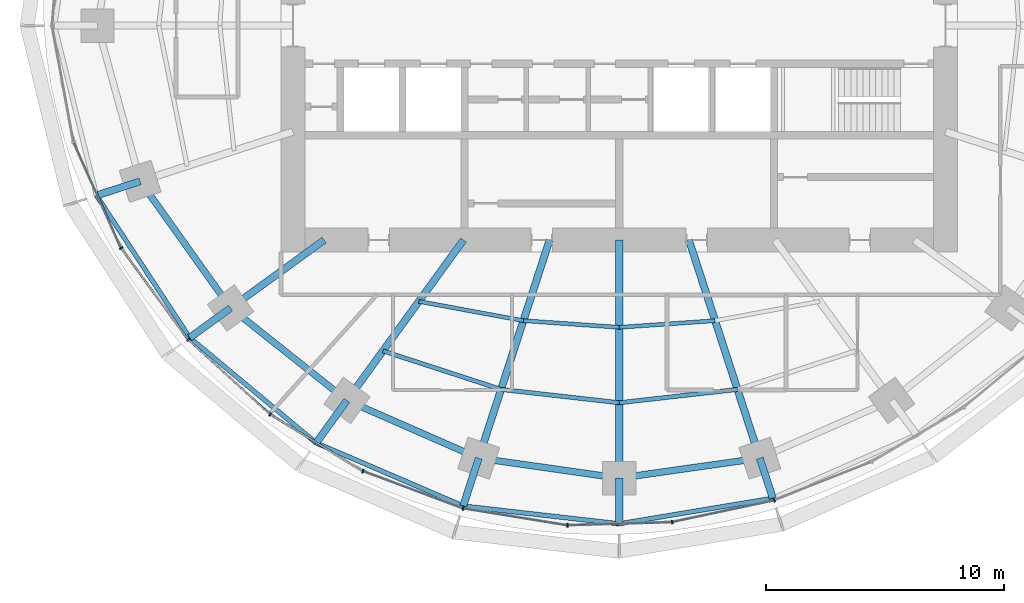
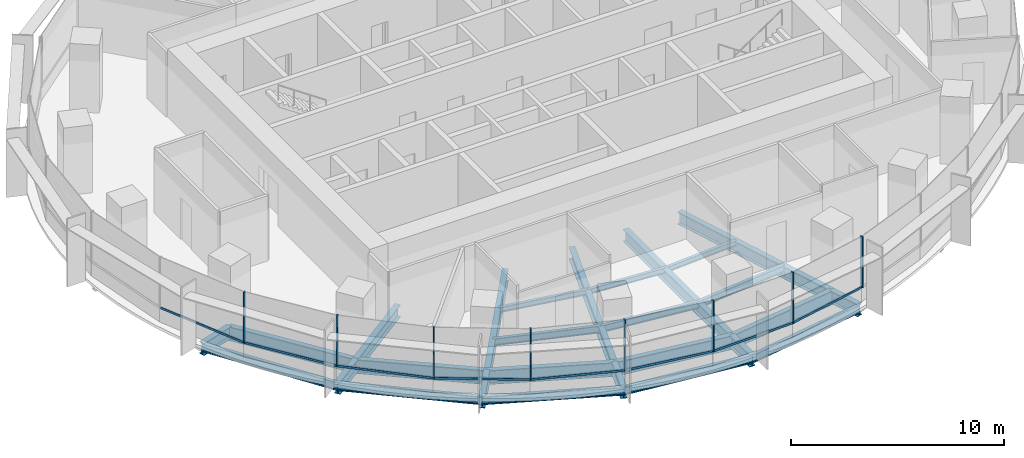
# One storey, part 2 of 15: 27 beams, 16 members, 2 elements without a shape of their own.
"""IFC4 building model written with IfcOpenShell, lengths in metres."""

from ifc_helpers import new_model, si_unit, direction, frame, origin, origin_2d, place, context, subcontext, project, spatial, rectangle, i_section, extrude, material, material_profile, profile_set, type_object, element, aggregate, save


model = new_model("IFC4")

# Units and contexts
model_context = context("Model", 3, precision=1e-05, world=origin(), true_north=direction((0.0, 1.0)))
body_context = subcontext(model_context, "Body", "Model", "MODEL_VIEW")
ifc_project = project(units=[si_unit("LENGTHUNIT", "METRE"), si_unit("AREAUNIT", "SQUARE_METRE"), si_unit("VOLUMEUNIT", "CUBIC_METRE"), si_unit("PLANEANGLEUNIT", "RADIAN"), si_unit("MASSUNIT", "GRAM", prefix="KILO")], contexts=[model_context])

# Site, building, storey
site_placement = place(None, origin())
site = spatial("IfcSite", under=ifc_project, at=site_placement, CompositionType="ELEMENT")
building_placement = place(site_placement, origin())
building = spatial("IfcBuilding", under=site, at=building_placement, Name="Marramba Exchange Tower", CompositionType="ELEMENT")
storey_placement = place(building_placement, frame((0.0, 0.0, 211.10009765625)))
storey = spatial("IfcBuildingStorey", under=building, at=storey_placement, Name="L51", CompositionType="ELEMENT", Elevation=211.10009765625)

# Beams
ifc_material_1 = material(Name="Steel AS/NZS 3679.2 grade 300", Category="steel")
ifc_material_profile_1 = material_profile(ifc_material_1, i_section(OverallWidth=0.300048828125, OverallDepth=0.699951171875, WebThickness=0.010009765625, FlangeThickness=0.031982421875, at=origin_2d()), Name="700WB173")
ifc_profile_set_1 = profile_set([ifc_material_profile_1], Name="Steel AS/NZS 3679.2 grade 300")
beam_type_1 = type_object("IfcBeamType", Name="Cantilever girder 700WB173", PredefinedType="BEAM", material=ifc_profile_set_1)
beam_1_placement = place(storey_placement, frame((-20.109375, -6.533935546875, -0.510009765625), z_axis=(-0.951071238541, -0.308971680287, 0.0), x_axis=(0.308971680287, -0.951071238541, 0.0)))
element("IfcBeam", 1, at=beam_1_placement, inside=storey, type_object=beam_type_1, Name="Cantilever girder L51 TC12", PredefinedType="BEAM", context=body_context, shape_type="SweptSolid", body=[
    extrude(i_section(OverallWidth=0.300048828125, OverallDepth=0.699951171875, WebThickness=0.010009765625, FlangeThickness=0.031982421875, at=origin_2d()), origin(), (0.0, 0.0, 1.0), 1.930419921875),
])
beam_2_placement = place(storey_placement, frame((-16.3154296875, -11.853759765625, -0.510009765625), z_axis=(-0.808969966943, -0.587849974555, 0.0), x_axis=(0.587849974555, -0.808969966943, 0.0)))
element("IfcBeam", 2, at=beam_2_placement, inside=storey, type_object=beam_type_1, Name="Cantilever girder L51 TC13", PredefinedType="BEAM", context=body_context, shape_type="SweptSolid", body=[
    extrude(i_section(OverallWidth=0.300048828125, OverallDepth=0.699951171875, WebThickness=0.010009765625, FlangeThickness=0.031982421875, at=origin_2d()), origin(), (0.0, 0.0, 1.0), 2.12109375),
])
beam_3_placement = place(storey_placement, frame((-11.430419921875, -15.732666015625, -0.510009765625), z_axis=(-0.587789596657, -0.809013837992, 0.0), x_axis=(0.809013837992, -0.587789596657, 0.0)))
element("IfcBeam", 3, at=beam_3_placement, inside=storey, type_object=beam_type_1, Name="Cantilever girder L51 TC14", PredefinedType="BEAM", context=body_context, shape_type="SweptSolid", body=[
    extrude(i_section(OverallWidth=0.300048828125, OverallDepth=0.699951171875, WebThickness=0.010009765625, FlangeThickness=0.031982421875, at=origin_2d()), origin(), (0.0, 0.0, 1.0), 2.203857421875),
])
beam_4_placement = place(storey_placement, frame((-5.899658203125, -18.156982421875, -0.510009765625), z_axis=(-0.308971068529, -0.951071437281, 0.0), x_axis=(0.951071437281, -0.308971068529, 0.0)))
element("IfcBeam", 4, at=beam_4_placement, inside=storey, type_object=beam_type_1, Name="Cantilever girder L51 TC15", PredefinedType="BEAM", context=body_context, shape_type="SweptSolid", body=[
    extrude(i_section(OverallWidth=0.300048828125, OverallDepth=0.699951171875, WebThickness=0.010009765625, FlangeThickness=0.031982421875, at=origin_2d()), origin(), (0.0, 0.0, 1.0), 2.112060546875),
])
beam_5_placement = place(storey_placement, frame((0.0, -18.99609375, -0.510009765625), z_axis=(0.0, -1.0, 0.0), x_axis=(1.0, 0.0, 0.0)))
element("IfcBeam", 5, at=beam_5_placement, inside=storey, type_object=beam_type_1, Name="Cantilever girder L51 TC16", PredefinedType="BEAM", context=body_context, shape_type="SweptSolid", body=[
    extrude(i_section(OverallWidth=0.300048828125, OverallDepth=0.699951171875, WebThickness=0.010009765625, FlangeThickness=0.031982421875, at=origin_2d()), origin(), (0.0, 0.0, 1.0), 1.917724609375),
])
beam_6_placement = place(storey_placement, frame((5.899658203125, -18.156982421875, -0.510009765625), z_axis=(0.308926813415, -0.951085813138, 0.0), x_axis=(0.951085813138, 0.308926813415, 0.0)))
element("IfcBeam", 6, at=beam_6_placement, inside=storey, type_object=beam_type_1, Name="Cantilever girder L51 TC17", PredefinedType="BEAM", context=body_context, shape_type="SweptSolid", body=[
    extrude(i_section(OverallWidth=0.300048828125, OverallDepth=0.699951171875, WebThickness=0.010009765625, FlangeThickness=0.031982421875, at=origin_2d()), origin(), (0.0, 0.0, 1.0), 1.767822265625),
])
ifc_material_2 = material(Name="Steel AS/NZS 3679.1 grade 300", Category="steel")
ifc_material_profile_2 = material_profile(ifc_material_2, i_section(OverallWidth=0.166015625, OverallDepth=0.306884765625, WebThickness=0.006591796875, FlangeThickness=0.01171875, FilletRadius=0.011474609375, at=origin_2d()), Name="310UB46.2")
ifc_profile_set_2 = profile_set([ifc_material_profile_2], Name="Steel AS/NZS 3679.1 grade 300")
beam_type_2 = type_object("IfcBeamType", Name="Floor joist 310UB46.2", PredefinedType="JOIST", material=ifc_profile_set_2)
beam_7_placement = place(storey_placement, frame((-8.41162109375, -11.57763671875, -0.3134765625), z_axis=(0.983455754421, -0.181148500119, 0.0), x_axis=(0.181148500119, 0.983455754421, 0.0)))
element("IfcBeam", 7, at=beam_7_placement, inside=storey, type_object=beam_type_2, Name="Joist L51 bay 14 row 1", PredefinedType="JOIST", context=body_context, shape_type="SweptSolid", body=[
    extrude(i_section(OverallWidth=0.166015625, OverallDepth=0.306884765625, WebThickness=0.006591796875, FlangeThickness=0.01171875, FilletRadius=0.011474609375, at=origin_2d()), origin(), (0.0, 0.0, 1.0), 4.4609375),
])
for number, where, z_axis, x_axis, name in (
    (8, (-4.0244140625, -12.3857421875, -0.3134765625), (0.99759625901, -0.069294328838, 0.0), (0.069294328838, 0.99759625901, 0.0), "Joist L51 bay 15 row 1"),
    (9, (0.0, -12.665283203125, -0.3134765625), (0.99759625901, 0.069294328838, 0.0), (-0.069294328838, 0.99759625901, 0.0), "Joist L51 bay 16 row 1"),
):
    element("IfcBeam", number, at=place(storey_placement, frame(where, z_axis=z_axis, x_axis=x_axis)), inside=storey, type_object=beam_type_2, Name=name, PredefinedType="JOIST", context=body_context, shape_type="SweptSolid", body=[
        extrude(i_section(OverallWidth=0.166015625, OverallDepth=0.306884765625, WebThickness=0.006591796875, FlangeThickness=0.01171875, FilletRadius=0.011474609375, at=origin_2d()), origin(), (0.0, 0.0, 1.0), 4.0341796875),
    ])
ifc_material_profile_3 = material_profile(ifc_material_2, i_section(OverallWidth=0.177978515625, OverallDepth=0.406005859375, WebThickness=0.0078125, FlangeThickness=0.0126953125, FilletRadius=0.011474609375, at=origin_2d()), Name="410UB59.7")
ifc_profile_set_3 = profile_set([ifc_material_profile_3], Name="Steel AS/NZS 3679.1 grade 300")
beam_type_3 = type_object("IfcBeamType", Name="Floor joist 410UB59.7", PredefinedType="JOIST", material=ifc_profile_set_3)
beam_8_placement = place(storey_placement, frame((-9.9208984375, -13.655029296875, -0.363037109375), z_axis=(0.950764024931, -0.309915744834, 0.0), x_axis=(0.309915744834, 0.950764024931, 0.0)))
element("IfcBeam", 10, at=beam_8_placement, inside=storey, type_object=beam_type_3, Name="Joist L51 bay 14 row 2", PredefinedType="JOIST", context=body_context, shape_type="SweptSolid", body=[
    extrude(i_section(OverallWidth=0.177978515625, OverallDepth=0.406005859375, WebThickness=0.0078125, FlangeThickness=0.0126953125, FilletRadius=0.011474609375, at=origin_2d()), origin(), (0.0, 0.0, 1.0), 5.2158203125),
])
for number, where, z_axis, x_axis, name in (
    (11, (-4.9619140625, -15.271484375, -0.363037109375), (0.993712018573, -0.111966174106, 0.0), (0.111966174106, 0.993712018573, 0.0), "Joist L51 bay 15 row 2"),
    (12, (0.0, -15.83056640625, -0.363037109375), (0.993712018573, 0.111966174106, 0.0), (-0.111966174106, 0.993712018573, 0.0), "Joist L51 bay 16 row 2"),
):
    element("IfcBeam", number, at=place(storey_placement, frame(where, z_axis=z_axis, x_axis=x_axis)), inside=storey, type_object=beam_type_3, Name=name, PredefinedType="JOIST", context=body_context, shape_type="SweptSolid", body=[
        extrude(i_section(OverallWidth=0.177978515625, OverallDepth=0.406005859375, WebThickness=0.0078125, FlangeThickness=0.0126953125, FilletRadius=0.011474609375, at=origin_2d()), origin(), (0.0, 0.0, 1.0), 4.993408203125),
    ])

# Curtain wall, members
ifc_material_3 = material(Name="Aluminium framing, bronze anodised", Category="aluminium")
curtain_wall_type = type_object("IfcCurtainWallType", Name="Office ribbon curtain wall", PredefinedType="USERDEFINED", material=ifc_material_3)
curtain_wall_1_placement = place(storey_placement, origin())
curtain_wall_1 = element("IfcCurtainWall", 13, at=curtain_wall_1_placement, inside=storey, type_object=curtain_wall_type, Name="Curtain wall CW4 L51 F16-F20", ObjectType="RIBBON CURTAIN WALL", PredefinedType="USERDEFINED")
ifc_material_4 = material(Name="Aluminium mullion, bronze anodised", Category="aluminium")
ifc_material_profile_4 = material_profile(ifc_material_4, rectangle(XDim=0.159912109375, YDim=0.06005859375, at=origin_2d()), Name="CW4 mullion 60x160")
ifc_profile_set_4 = profile_set([ifc_material_profile_4], Name="Aluminium mullion, bronze anodised")
member_type_1 = type_object("IfcMemberType", Name="Office ribbon curtain wall mullion", PredefinedType="MULLION", material=ifc_profile_set_4)
member_1_placement = place(storey_placement, frame((-20.910400390625, -9.342041015625, 0.7998046875), z_axis=(0.0, 0.0, 1.0), x_axis=(0.806508054547, 0.591223103363, 0.0)))
member_1 = element("IfcMember", 14, at=member_1_placement, type_object=member_type_1, Name="CW4 mullion 1", PredefinedType="MULLION", context=body_context, shape_type="SweptSolid", body=[
    extrude(rectangle(XDim=0.159912109375, YDim=0.06005859375, at=origin_2d()), origin(), (0.0, 0.0, 1.0), 2.940185546875),
])
member_2_placement = place(storey_placement, frame((-18.090087890625, -13.179443359375, 0.7998046875), z_axis=(0.0, 0.0, 1.0), x_axis=(0.67567103474, 0.737203264245, 0.0)))
member_2 = element("IfcMember", 15, at=member_2_placement, type_object=member_type_1, Name="CW4 mullion 1", PredefinedType="MULLION", context=body_context, shape_type="SweptSolid", body=[
    extrude(rectangle(XDim=0.159912109375, YDim=0.06005859375, at=origin_2d()), origin(), (0.0, 0.0, 1.0), 2.940185546875),
])
member_3_placement = place(storey_placement, frame((-14.655029296875, -16.320068359375, 0.7998046875), z_axis=(0.0, 0.0, 1.0), x_axis=(0.52305160869, 0.85230101176, 0.0)))
member_3 = element("IfcMember", 16, at=member_3_placement, type_object=member_type_1, Name="CW4 mullion 1", PredefinedType="MULLION", context=body_context, shape_type="SweptSolid", body=[
    extrude(rectangle(XDim=0.159912109375, YDim=0.06005859375, at=origin_2d()), origin(), (0.0, 0.0, 1.0), 2.940185546875),
])

curtain_wall_2_placement = place(storey_placement, origin())
curtain_wall_2 = element("IfcCurtainWall", 17, at=curtain_wall_2_placement, inside=storey, type_object=curtain_wall_type, Name="Curtain wall CW4 L51 F21-F25", ObjectType="RIBBON CURTAIN WALL", PredefinedType="USERDEFINED")
member_4_placement = place(storey_placement, frame((-10.76318359375, -18.70166015625, 0.7998046875), z_axis=(0.0, 0.0, 1.0), x_axis=(0.349459197687, 0.936951583142, 0.0)))
member_4 = element("IfcMember", 18, at=member_4_placement, type_object=member_type_1, Name="CW4 mullion 1", PredefinedType="MULLION", context=body_context, shape_type="SweptSolid", body=[
    extrude(rectangle(XDim=0.159912109375, YDim=0.06005859375, at=origin_2d()), origin(), (0.0, 0.0, 1.0), 2.940185546875),
])
member_5_placement = place(storey_placement, frame((-6.553466796875, -20.265625, 0.7998046875), z_axis=(0.0, 0.0, 1.0), x_axis=(0.161145726194, 0.986930623159, 0.0)))
member_5 = element("IfcMember", 19, at=member_5_placement, type_object=member_type_1, Name="CW4 mullion 1", PredefinedType="MULLION", context=body_context, shape_type="SweptSolid", body=[
    extrude(rectangle(XDim=0.159912109375, YDim=0.06005859375, at=origin_2d()), origin(), (0.0, 0.0, 1.0), 2.940185546875),
])
member_6_placement = place(storey_placement, frame((-2.174560546875, -20.974853515625, 0.7998046875), z_axis=(0.0, 0.0, 1.0), x_axis=(-0.029393451762, 0.99956791915, 0.0)))
member_6 = element("IfcMember", 20, at=member_6_placement, type_object=member_type_1, Name="CW4 mullion 1", PredefinedType="MULLION", context=body_context, shape_type="SweptSolid", body=[
    extrude(rectangle(XDim=0.159912109375, YDim=0.06005859375, at=origin_2d()), origin(), (0.0, 0.0, 1.0), 2.940185546875),
])
member_7_placement = place(storey_placement, frame((2.220458984375, -20.840087890625, 0.7998046875), z_axis=(0.0, 0.0, 1.0), x_axis=(-0.208332456608, 0.978058069607, 0.0)))
member_7 = element("IfcMember", 21, at=member_7_placement, type_object=member_type_1, Name="CW4 mullion 1", PredefinedType="MULLION", context=body_context, shape_type="SweptSolid", body=[
    extrude(rectangle(XDim=0.159912109375, YDim=0.06005859375, at=origin_2d()), origin(), (0.0, 0.0, 1.0), 2.940185546875),
])
member_8_placement = place(storey_placement, frame((6.504638671875, -19.922607421875, 0.7998046875), z_axis=(0.0, 0.0, 1.0), x_axis=(-0.367374724195, 0.93007301435, 0.0)))
member_8 = element("IfcMember", 22, at=member_8_placement, type_object=member_type_1, Name="CW4 mullion 1", PredefinedType="MULLION", context=body_context, shape_type="SweptSolid", body=[
    extrude(rectangle(XDim=0.159912109375, YDim=0.06005859375, at=origin_2d()), origin(), (0.0, 0.0, 1.0), 2.940185546875),
])

# Member
ifc_material_5 = material(Name="Aluminium transom, bronze anodised", Category="aluminium")
ifc_material_profile_5 = material_profile(ifc_material_5, rectangle(XDim=0.06005859375, YDim=0.1201171875, at=origin_2d()), Name="CW4 transom 60x120")
ifc_profile_set_5 = profile_set([ifc_material_profile_5], Name="Aluminium transom, bronze anodised")
member_type_2 = type_object("IfcMemberType", Name="Office ribbon curtain wall transom", PredefinedType="USERDEFINED", material=ifc_profile_set_5)
member_9_placement = place(storey_placement, frame((-22.888671875, -4.925048828125, 0.829833984375), z_axis=(0.407541263131, -0.913186792965, 0.0), x_axis=(0.913186792965, 0.407541263131, 0.0)))
member_9 = element("IfcMember", 23, at=member_9_placement, type_object=member_type_2, Name="CW4 sill transom", ObjectType="TRANSOM", PredefinedType="USERDEFINED", context=body_context, shape_type="SweptSolid", body=[
    extrude(rectangle(XDim=0.06005859375, YDim=0.1201171875, at=origin_2d()), origin(), (0.0, 0.0, 1.0), 4.810546875),
])

member_10_placement = place(storey_placement, frame((-20.892578125, -9.3662109375, 0.829833984375), z_axis=(0.591226373184, -0.806505657545, 0.0), x_axis=(0.806505657545, 0.591226373184, 0.0)))
member_10 = element("IfcMember", 24, at=member_10_placement, type_object=member_type_2, Name="CW4 sill transom", ObjectType="TRANSOM", PredefinedType="USERDEFINED", context=body_context, shape_type="SweptSolid", body=[
    extrude(rectangle(XDim=0.06005859375, YDim=0.1201171875, at=origin_2d()), origin(), (0.0, 0.0, 1.0), 4.702880859375),
])

member_11_placement = place(storey_placement, frame((-18.06787109375, -13.19970703125, 0.829833984375), z_axis=(0.737176195283, -0.675700567639, 0.0), x_axis=(0.675700567639, 0.737176195283, 0.0)))
member_11 = element("IfcMember", 25, at=member_11_placement, type_object=member_type_2, Name="CW4 sill transom", ObjectType="TRANSOM", PredefinedType="USERDEFINED", context=body_context, shape_type="SweptSolid", body=[
    extrude(rectangle(XDim=0.06005859375, YDim=0.1201171875, at=origin_2d()), origin(), (0.0, 0.0, 1.0), 4.5947265625),
])

member_12_placement = place(storey_placement, frame((-14.62939453125, -16.335693359375, 0.829833984375), z_axis=(0.852298011003, -0.523056498325, 0.0), x_axis=(0.523056498325, 0.852298011003, 0.0)))
member_12 = element("IfcMember", 26, at=member_12_placement, type_object=member_type_2, Name="CW4 sill transom", ObjectType="TRANSOM", PredefinedType="USERDEFINED", context=body_context, shape_type="SweptSolid", body=[
    extrude(rectangle(XDim=0.06005859375, YDim=0.1201171875, at=origin_2d()), origin(), (0.0, 0.0, 1.0), 4.503173828125),
])

aggregate(curtain_wall_1, [member_9, member_1, member_10, member_2, member_11, member_3, member_12])

member_13_placement = place(storey_placement, frame((-10.735107421875, -18.712158203125, 0.829833984375), z_axis=(0.936954830677, -0.349450490444, 0.0), x_axis=(0.349450490444, 0.936954830677, 0.0)))
member_13 = element("IfcMember", 27, at=member_13_placement, type_object=member_type_2, Name="CW4 sill transom", ObjectType="TRANSOM", PredefinedType="USERDEFINED", context=body_context, shape_type="SweptSolid", body=[
    extrude(rectangle(XDim=0.06005859375, YDim=0.1201171875, at=origin_2d()), origin(), (0.0, 0.0, 1.0), 4.431396484375),
])

member_14_placement = place(storey_placement, frame((-6.52392578125, -20.2705078125, 0.829833984375), z_axis=(0.986937225488, -0.161105285282, 0.0), x_axis=(0.161105285282, 0.986937225488, 0.0)))
member_14 = element("IfcMember", 28, at=member_14_placement, type_object=member_type_2, Name="CW4 sill transom", ObjectType="TRANSOM", PredefinedType="USERDEFINED", context=body_context, shape_type="SweptSolid", body=[
    extrude(rectangle(XDim=0.06005859375, YDim=0.1201171875, at=origin_2d()), origin(), (0.0, 0.0, 1.0), 4.37646484375),
])

member_15_placement = place(storey_placement, frame((-2.144775390625, -20.973876953125, 0.829833984375), z_axis=(0.999568338005, 0.029379204529, 0.0), x_axis=(-0.029379204529, 0.999568338005, 0.0)))
member_15 = element("IfcMember", 29, at=member_15_placement, type_object=member_type_2, Name="CW4 sill transom", ObjectType="TRANSOM", PredefinedType="USERDEFINED", context=body_context, shape_type="SweptSolid", body=[
    extrude(rectangle(XDim=0.06005859375, YDim=0.1201171875, at=origin_2d()), origin(), (0.0, 0.0, 1.0), 4.337890625),
])

member_16_placement = place(storey_placement, frame((2.249755859375, -20.833984375, 0.829833984375), z_axis=(0.978057951839, 0.208333009494, 0.0), x_axis=(-0.208333009494, 0.978057951839, 0.0)))
member_16 = element("IfcMember", 30, at=member_16_placement, type_object=member_type_2, Name="CW4 sill transom", ObjectType="TRANSOM", PredefinedType="USERDEFINED", context=body_context, shape_type="SweptSolid", body=[
    extrude(rectangle(XDim=0.06005859375, YDim=0.1201171875, at=origin_2d()), origin(), (0.0, 0.0, 1.0), 4.32177734375),
])

aggregate(curtain_wall_2, [member_4, member_13, member_5, member_14, member_6, member_15, member_7, member_16, member_8])

# Beams
ifc_material_profile_6 = material_profile(ifc_material_1, i_section(OverallWidth=0.300048828125, OverallDepth=0.699951171875, WebThickness=0.010009765625, FlangeThickness=0.031982421875, at=origin_2d()), Name="700WB173")
ifc_profile_set_6 = profile_set([ifc_material_profile_6], Name="Steel AS/NZS 3679.2 grade 300")
beam_type_4 = type_object("IfcBeamType", Name="Radial girder 700WB173", PredefinedType="BEAM", material=ifc_profile_set_6)
beam_9_placement = place(storey_placement, frame((-12.387451171875, -9.0, -0.510009765625), z_axis=(-0.809025189606, -0.58777397236, 0.0), x_axis=(0.58777397236, -0.809025189606, 0.0)))
element("IfcBeam", 31, at=beam_9_placement, inside=storey, type_object=beam_type_4, Name="Radial girder L51 TC13", PredefinedType="BEAM", context=body_context, shape_type="SweptSolid", body=[
    extrude(i_section(OverallWidth=0.300048828125, OverallDepth=0.699951171875, WebThickness=0.010009765625, FlangeThickness=0.031982421875, at=origin_2d()), origin(), (0.0, 0.0, 1.0), 4.855224609375),
])
beam_10_placement = place(storey_placement, frame((-6.538818359375, -9.0, -0.510009765625), z_axis=(-0.587787877172, -0.809015087282, 0.0), x_axis=(0.809015087282, -0.587787877172, 0.0)))
element("IfcBeam", 32, at=beam_10_placement, inside=storey, type_object=beam_type_4, Name="Radial girder L51 TC14", PredefinedType="BEAM", context=body_context, shape_type="SweptSolid", body=[
    extrude(i_section(OverallWidth=0.300048828125, OverallDepth=0.699951171875, WebThickness=0.010009765625, FlangeThickness=0.031982421875, at=origin_2d()), origin(), (0.0, 0.0, 1.0), 8.322021484375),
])
beam_11_placement = place(storey_placement, frame((-2.92431640625, -9.0, -0.510009765625), z_axis=(-0.309022428985, -0.951054750466, 0.0), x_axis=(0.951054750466, -0.309022428985, 0.0)))
element("IfcBeam", 33, at=beam_11_placement, inside=storey, type_object=beam_type_4, Name="Radial girder L51 TC15", PredefinedType="BEAM", context=body_context, shape_type="SweptSolid", body=[
    extrude(i_section(OverallWidth=0.300048828125, OverallDepth=0.699951171875, WebThickness=0.010009765625, FlangeThickness=0.031982421875, at=origin_2d()), origin(), (0.0, 0.0, 1.0), 9.628173828125),
])
beam_12_placement = place(storey_placement, frame((0.0, -9.0, -0.510009765625), z_axis=(0.0, -1.0, 0.0), x_axis=(1.0, 0.0, 0.0)))
element("IfcBeam", 34, at=beam_12_placement, inside=storey, type_object=beam_type_4, Name="Radial girder L51 TC16", PredefinedType="BEAM", context=body_context, shape_type="SweptSolid", body=[
    extrude(i_section(OverallWidth=0.300048828125, OverallDepth=0.699951171875, WebThickness=0.010009765625, FlangeThickness=0.031982421875, at=origin_2d()), origin(), (0.0, 0.0, 1.0), 9.99609375),
])
beam_13_placement = place(storey_placement, frame((2.92431640625, -9.0, -0.510009765625), z_axis=(0.309022428985, -0.951054750466, 0.0), x_axis=(0.951054750466, 0.309022428985, 0.0)))
element("IfcBeam", 35, at=beam_13_placement, inside=storey, type_object=beam_type_4, Name="Radial girder L51 TC17", PredefinedType="BEAM", context=body_context, shape_type="SweptSolid", body=[
    extrude(i_section(OverallWidth=0.300048828125, OverallDepth=0.699951171875, WebThickness=0.010009765625, FlangeThickness=0.031982421875, at=origin_2d()), origin(), (0.0, 0.0, 1.0), 9.628173828125),
])
ifc_material_profile_7 = material_profile(ifc_material_1, i_section(OverallWidth=0.27490234375, OverallDepth=0.800048828125, WebThickness=0.010009765625, FlangeThickness=0.02490234375, at=origin_2d()), Name="800WB168")
ifc_profile_set_7 = profile_set([ifc_material_profile_7], Name="Steel AS/NZS 3679.2 grade 300")
beam_type_5 = type_object("IfcBeamType", Name="Ring beam 800WB168", PredefinedType="SPANDREL", material=ifc_profile_set_7)
beam_14_placement = place(storey_placement, frame((-20.109375, -6.533935546875, -0.56005859375), z_axis=(0.580637181111, -0.814162430914, 0.0), x_axis=(0.814162430914, 0.580637181111, 0.0)))
element("IfcBeam", 36, at=beam_14_placement, inside=storey, type_object=beam_type_5, Name="Ring beam L51 TC12-TC13", PredefinedType="SPANDREL", context=body_context, shape_type="SweptSolid", body=[
    extrude(i_section(OverallWidth=0.27490234375, OverallDepth=0.800048828125, WebThickness=0.010009765625, FlangeThickness=0.02490234375, at=origin_2d()), origin(), (0.0, 0.0, 1.0), 6.5341796875),
])
beam_15_placement = place(storey_placement, frame((-16.3154296875, -11.853759765625, -0.56005859375), z_axis=(0.783139438128, -0.621846138887, 0.0), x_axis=(0.621846138887, 0.783139438128, 0.0)))
element("IfcBeam", 37, at=beam_15_placement, inside=storey, type_object=beam_type_5, Name="Ring beam L51 TC13-TC14", PredefinedType="SPANDREL", context=body_context, shape_type="SweptSolid", body=[
    extrude(i_section(OverallWidth=0.27490234375, OverallDepth=0.800048828125, WebThickness=0.010009765625, FlangeThickness=0.02490234375, at=origin_2d()), origin(), (0.0, 0.0, 1.0), 6.23779296875),
])
beam_16_placement = place(storey_placement, frame((-11.430419921875, -15.732666015625, -0.56005859375), z_axis=(0.915876892158, -0.4014592363, 0.0), x_axis=(0.4014592363, 0.915876892158, 0.0)))
element("IfcBeam", 38, at=beam_16_placement, inside=storey, type_object=beam_type_5, Name="Ring beam L51 TC14-TC15", PredefinedType="SPANDREL", context=body_context, shape_type="SweptSolid", body=[
    extrude(i_section(OverallWidth=0.27490234375, OverallDepth=0.800048828125, WebThickness=0.010009765625, FlangeThickness=0.02490234375, at=origin_2d()), origin(), (0.0, 0.0, 1.0), 6.038818359375),
])
for number, where, z_axis, x_axis, name in (
    (39, (-5.899658203125, -18.156982421875, -0.56005859375), (0.990036163016, -0.140813337152, 0.0), (0.140813337152, 0.990036163016, 0.0), "Ring beam L51 TC15-TC16"),
    (40, (0.0, -18.99609375, -0.56005859375), (0.990036163016, 0.140813337152, 0.0), (-0.140813337152, 0.990036163016, 0.0), "Ring beam L51 TC16-TC17"),
):
    element("IfcBeam", number, at=place(storey_placement, frame(where, z_axis=z_axis, x_axis=x_axis)), inside=storey, type_object=beam_type_5, Name=name, PredefinedType="SPANDREL", context=body_context, shape_type="SweptSolid", body=[
        extrude(i_section(OverallWidth=0.27490234375, OverallDepth=0.800048828125, WebThickness=0.010009765625, FlangeThickness=0.02490234375, at=origin_2d()), origin(), (0.0, 0.0, 1.0), 5.958984375),
    ])
ifc_material_profile_8 = material_profile(ifc_material_2, i_section(OverallWidth=0.19091796875, OverallDepth=0.4599609375, WebThickness=0.010009765625, FlangeThickness=0.01611328125, FilletRadius=0.011474609375, at=origin_2d()), Name="460UB82.1")
ifc_profile_set_8 = profile_set([ifc_material_profile_8], Name="Steel AS/NZS 3679.1 grade 300")
beam_type_6 = type_object("IfcBeamType", Name="Slab edge beam 460UB82.1", PredefinedType="SPANDREL", material=ifc_profile_set_8)
beam_17_placement = place(storey_placement, frame((-21.9453125, -7.13037109375, -0.39013671875), z_axis=(0.548275412052, -0.83629783722, 0.0), x_axis=(0.83629783722, 0.548275412052, 0.0)))
element("IfcBeam", 41, at=beam_17_placement, inside=storey, type_object=beam_type_6, Name="Slab edge beam L51 TC12-TC13", PredefinedType="SPANDREL", context=body_context, shape_type="SweptSolid", body=[
    extrude(i_section(OverallWidth=0.19091796875, OverallDepth=0.4599609375, WebThickness=0.010009765625, FlangeThickness=0.01611328125, FilletRadius=0.011474609375, at=origin_2d()), origin(), (0.0, 0.0, 1.0), 7.138916015625),
])
beam_18_placement = place(storey_placement, frame((-18.03125, -13.1005859375, -0.39013671875), z_axis=(0.768658895231, -0.639658895649, 0.0), x_axis=(0.639658895649, 0.768658895231, 0.0)))
element("IfcBeam", 42, at=beam_18_placement, inside=storey, type_object=beam_type_6, Name="Slab edge beam L51 TC13-TC14", PredefinedType="SPANDREL", context=body_context, shape_type="SweptSolid", body=[
    extrude(i_section(OverallWidth=0.19091796875, OverallDepth=0.4599609375, WebThickness=0.010009765625, FlangeThickness=0.01611328125, FilletRadius=0.011474609375, at=origin_2d()), origin(), (0.0, 0.0, 1.0), 6.902099609375),
])
beam_19_placement = place(storey_placement, frame((-12.725830078125, -17.515625, -0.39013671875), z_axis=(0.9189117964, -0.394463065999, 0.0), x_axis=(0.394463065999, 0.9189117964, 0.0)))
element("IfcBeam", 43, at=beam_19_placement, inside=storey, type_object=beam_type_6, Name="Slab edge beam L51 TC14-TC15", PredefinedType="SPANDREL", context=body_context, shape_type="SweptSolid", body=[
    extrude(i_section(OverallWidth=0.19091796875, OverallDepth=0.4599609375, WebThickness=0.010009765625, FlangeThickness=0.01611328125, FilletRadius=0.011474609375, at=origin_2d()), origin(), (0.0, 0.0, 1.0), 6.71826171875),
])
beam_20_placement = place(storey_placement, frame((-6.55224609375, -20.165771484375, -0.39013671875), z_axis=(0.993546030009, -0.113429653325, 0.0), x_axis=(0.113429653325, 0.993546030009, 0.0)))
element("IfcBeam", 44, at=beam_20_placement, inside=storey, type_object=beam_type_6, Name="Slab edge beam L51 TC15-TC16", PredefinedType="SPANDREL", context=body_context, shape_type="SweptSolid", body=[
    extrude(i_section(OverallWidth=0.19091796875, OverallDepth=0.4599609375, WebThickness=0.010009765625, FlangeThickness=0.01611328125, FilletRadius=0.011474609375, at=origin_2d()), origin(), (0.0, 0.0, 1.0), 6.5947265625),
])
beam_21_placement = place(storey_placement, frame((0.0, -20.913818359375, -0.39013671875), z_axis=(0.986365637189, 0.164568617219, 0.0), x_axis=(-0.164568617219, 0.986365637189, 0.0)))
element("IfcBeam", 45, at=beam_21_placement, inside=storey, type_object=beam_type_6, Name="Slab edge beam L51 TC16-TC17", PredefinedType="SPANDREL", context=body_context, shape_type="SweptSolid", body=[
    extrude(i_section(OverallWidth=0.19091796875, OverallDepth=0.4599609375, WebThickness=0.010009765625, FlangeThickness=0.01611328125, FilletRadius=0.011474609375, at=origin_2d()), origin(), (0.0, 0.0, 1.0), 6.534912109375),
])

save(model, "model.ifc")
